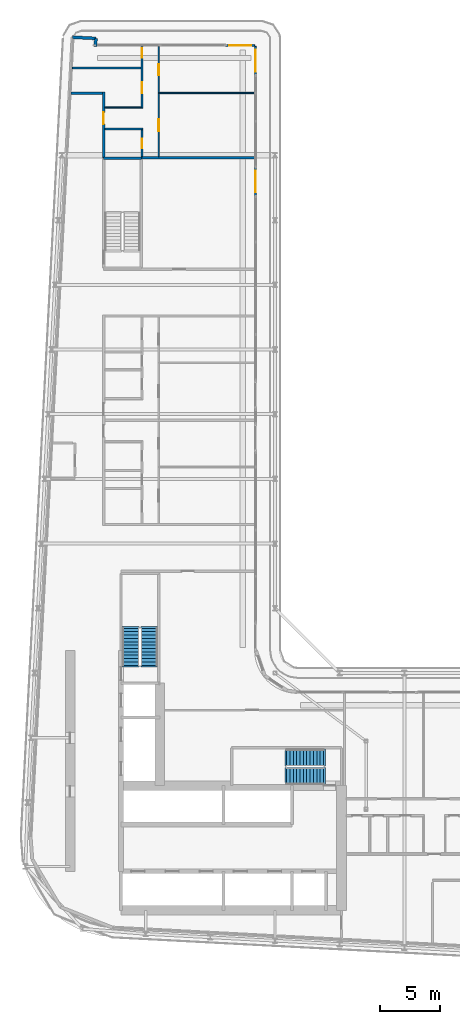
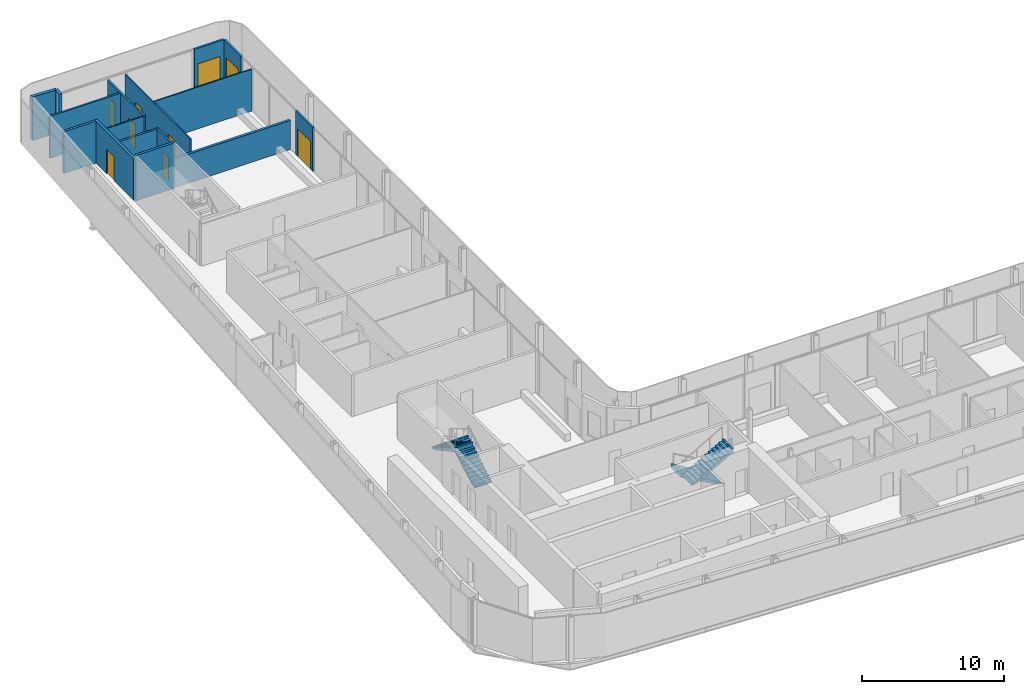
# One storey, part 21 of 29: 16 walls, 9 doors, 4 stair flights, 9 openings, 2 elements without a shape of their own.
"""IFC4 building model written with IfcOpenShell, lengths in metres."""

from ifc_helpers import new_model, si_unit, direction, frame, frame_2d, origin, place, context, subcontext, project, spatial, polyline, rectangle, outline, extrude, source, transform, mapped, material, layer, layer_set, type_object, element, fill, aggregate, save


model = new_model("IFC4")

# Units and contexts
model_context = context("Model", 3, precision=1e-05, world=origin(), true_north=direction((0.0, 1.0)))
body_context = subcontext(model_context, "Body", "Model", "MODEL_VIEW")
ifc_project = project(units=[si_unit("LENGTHUNIT", "METRE"), si_unit("AREAUNIT", "SQUARE_METRE"), si_unit("VOLUMEUNIT", "CUBIC_METRE"), si_unit("PLANEANGLEUNIT", "RADIAN"), si_unit("MASSUNIT", "GRAM", prefix="KILO")], contexts=[model_context])

# Site, building, storey
site_placement = place(None, origin())
site = spatial("IfcSite", under=ifc_project, at=site_placement, CompositionType="ELEMENT")
building_placement = place(site_placement, origin())
building = spatial("IfcBuilding", under=site, at=building_placement, Name="Kheshtan School and Residences Tower", CompositionType="ELEMENT")
storey_placement = place(building_placement, frame((0.0, 0.0, 176.0)))
storey = spatial("IfcBuildingStorey", under=building, at=storey_placement, Name="L41", CompositionType="ELEMENT", Elevation=176.0)

# Wall
ifc_material_1 = material(Name="Gypsum board on steel studs with fire boards", Category="steel")
ifc_layer_1 = layer(ifc_material_1, 0.199951171875)
ifc_layer_set_1 = layer_set([ifc_layer_1], Name="Corridor wall 200")
wall_type_1 = type_object("IfcWallType", Name="Corridor wall 200", PredefinedType="PARTITIONING", material=ifc_layer_set_1)
wall_1_placement = place(storey_placement, frame((30.584716796875, 94.0, 0.0), z_axis=(0.0, 0.0, 1.0), x_axis=(1.0, 0.0, 0.0)))
element("IfcWall", 1, at=wall_1_placement, inside=storey, type_object=wall_type_1, Name="Partition L41-002", PredefinedType="PARTITIONING", context=body_context, shape_type="SweptSolid", body=[
    extrude(rectangle(XDim=2.615234375, YDim=0.199951171875, at=frame_2d((1.3076171875, 0.0))), origin(), (0.0, 0.0, 1.0), 3.60009765625),
])

# Wall, opening, door
wall_2_placement = place(storey_placement, frame((33.300048828125, 88.60009765625, 0.0), z_axis=(0.0, 0.0, 1.0), x_axis=(0.0, 1.0, 0.0)))
wall_2 = element("IfcWall", 2, at=wall_2_placement, inside=storey, type_object=wall_type_1, Name="Partition L41-005", PredefinedType="PARTITIONING", context=body_context, shape_type="SweptSolid", body=[
    extrude(rectangle(XDim=5.5, YDim=0.199951171875, at=frame_2d((2.75, 0.0))), origin(), (0.0, 0.0, 1.0), 3.60009765625),
])
opening_1_placement = place(wall_2_placement, frame((2.800048828125, 0.0, 0.0)))
opening_1 = element("IfcOpeningElement", 3, at=opening_1_placement, cuts=wall_2, Name="Opening D41-045", PredefinedType="OPENING", context=body_context, shape_type="SweptSolid", body=[
    extrude(rectangle(XDim=1.0, YDim=2.10009765625, at=frame_2d((0.5, 1.050048828125))), frame((0.0, 0.10986328125, 0.0), z_axis=(0.0, -1.0, 0.0), x_axis=(1.0, 0.0, 0.0)), (0.0, 0.0, 1.0), 0.219970703125),
])
ifc_material_2 = material(Name="Steel-framed fire-resisting door leaf", Category="steel")
door_type_1 = type_object("IfcDoorType", Name="Fire door FD30S 1000 x 2100", OperationType="SINGLE_SWING_LEFT", PredefinedType="DOOR", material=ifc_material_2)
shared_shape_1 = source(origin(), body_context, "Body", "SweptSolid", [
    extrude(rectangle(XDim=1.0, YDim=2.10009765625, at=frame_2d((0.5, 1.050048828125))), frame((0.0, 0.02490234375, 0.0), z_axis=(0.0, -1.0, 0.0), x_axis=(1.0, 0.0, 0.0)), (0.0, 0.0, 1.0), 0.050048828125),
])
door_1_placement = place(opening_1_placement, origin())
door_1 = element("IfcDoor", 4, at=door_1_placement, inside=storey, type_object=door_type_1, Name="Door D41-045", OperationType="SINGLE_SWING_LEFT", OverallHeight=2.10009765625, OverallWidth=1.0, PredefinedType="DOOR", context=body_context, shape_type="MappedRepresentation", body=[
    mapped(shared_shape_1, transform((0.0, 0.0, 0.0), x_axis=(1.0, 0.0, 0.0), y_axis=(0.0, 1.0, 0.0), z_axis=(0.0, 0.0, 1.0), scale=1.0)),
])
fill(opening_1, door_1)

# Walls
ifc_material_3 = material(Name="Concrete C40/50 with ceramic cladding and mineral wool insulation", Category="concrete")
ifc_layer_2 = layer(ifc_material_3, 0.25)
ifc_layer_set_2 = layer_set([ifc_layer_2], Name="External wall 250 ceramic clad")
wall_type_2 = type_object("IfcWallType", Name="External wall 250 ceramic clad", PredefinedType="SOLIDWALL", material=ifc_layer_set_2)
wall_3_placement = place(storey_placement, frame((30.705078125, 98.6640625, 0.0), z_axis=(0.0, 0.0, 1.0), x_axis=(0.998577785791, -0.053314216913, 0.0)))
element("IfcWall", 5, at=wall_3_placement, inside=storey, type_object=wall_type_2, Name="External wall L41 5", PredefinedType="SOLIDWALL", context=body_context, shape_type="SweptSolid", body=[
    extrude(rectangle(XDim=1.95068359375, YDim=0.25, at=frame_2d((0.975341796875, 0.0))), origin(), (0.0, 0.0, 1.0), 3.75),
])
wall_4_placement = place(storey_placement, frame((32.653076171875, 98.56005859375, 0.0), z_axis=(0.0, 0.0, 1.0), x_axis=(-0.054093451632, -0.998535877418, 0.0)))
element("IfcWall", 6, at=wall_4_placement, inside=storey, type_object=wall_type_2, Name="External wall L41 6", PredefinedType="SOLIDWALL", context=body_context, shape_type="SweptSolid", body=[
    extrude(rectangle(XDim=0.66796875, YDim=0.25, at=frame_2d((0.333984375, 0.0))), origin(), (0.0, 0.0, 1.0), 3.75),
])

# Wall, opening, door
ifc_material_4 = material(Name="Aluminium frame wall with insulated infill", Category="aluminium")
ifc_layer_3 = layer(ifc_material_4, 0.14990234375)
ifc_layer_set_3 = layer_set([ifc_layer_3], Name="Glazing frame wall 150")
wall_type_3 = type_object("IfcWallType", Name="Glazing frame wall 150", PredefinedType="SOLIDWALL", material=ifc_layer_set_3)
wall_5_placement = place(storey_placement, frame((43.5, 97.97509765625, 0.0), z_axis=(0.0, 0.0, 1.0), x_axis=(1.0, 0.0, 0.0)))
wall_5 = element("IfcWall", 7, at=wall_5_placement, inside=storey, type_object=wall_type_3, Name="Balcony door wall L41 7.1", PredefinedType="SOLIDWALL", context=body_context, shape_type="SweptSolid", body=[
    extrude(rectangle(XDim=2.39990234375, YDim=0.14990234375, at=frame_2d((1.199951171875, 0.0))), origin(), (0.0, 0.0, 1.0), 3.75),
])
opening_2_placement = place(wall_5_placement, frame((0.300048828125, 0.0, 0.0)))
opening_2 = element("IfcOpeningElement", 8, at=opening_2_placement, cuts=wall_5, Name="Opening BD", PredefinedType="OPENING", context=body_context, shape_type="SweptSolid", body=[
    extrude(rectangle(XDim=1.800048828125, YDim=2.39990234375, at=frame_2d((0.89990234375, 1.199951171875))), frame((0.0, 0.0849609375, 0.0), z_axis=(0.0, -1.0, 0.0), x_axis=(1.0, 0.0, 0.0)), (0.0, 0.0, 1.0), 0.169921875),
])
ifc_material_5 = material(Name="Clear low-e glass in thermally broken aluminium frame", Category="aluminium")
door_type_2 = type_object("IfcDoorType", Name="Balcony sliding door", OperationType="SLIDING_TO_LEFT", PredefinedType="DOOR", material=ifc_material_5)
shared_shape_2 = source(origin(), body_context, "Body", "SweptSolid", [
    extrude(rectangle(XDim=1.800048828125, YDim=2.39990234375, at=frame_2d((0.89990234375, 1.199951171875))), frame((0.0, 0.02490234375, 0.0), z_axis=(0.0, -1.0, 0.0), x_axis=(1.0, 0.0, 0.0)), (0.0, 0.0, 1.0), 0.050048828125),
])
door_2_placement = place(opening_2_placement, origin())
door_2 = element("IfcDoor", 9, at=door_2_placement, inside=storey, type_object=door_type_2, Name="Balcony door L41 7.1", OperationType="SLIDING_TO_LEFT", OverallHeight=2.39990234375, OverallWidth=1.800048828125, PredefinedType="DOOR", context=body_context, shape_type="MappedRepresentation", body=[
    mapped(shared_shape_2, transform((0.0, 0.0, 0.0), x_axis=(1.0, 0.0, 0.0), y_axis=(0.0, 1.0, 0.0), z_axis=(0.0, 0.0, 1.0), scale=1.0)),
])
fill(opening_2, door_2)

wall_6_placement = place(storey_placement, frame((45.97509765625, 97.89990234375, 0.0), z_axis=(0.0, 0.0, 1.0), x_axis=(0.0, -1.0, 0.0)))
wall_6 = element("IfcWall", 10, at=wall_6_placement, inside=storey, type_object=wall_type_3, Name="Balcony door wall L41 8.1", PredefinedType="SOLIDWALL", context=body_context, shape_type="SweptSolid", body=[
    extrude(rectangle(XDim=2.39990234375, YDim=0.14990234375, at=frame_2d((1.199951171875, 0.0))), origin(), (0.0, 0.0, 1.0), 3.75),
])
opening_3_placement = place(wall_6_placement, frame((0.300048828125, 0.0, 0.0)))
opening_3 = element("IfcOpeningElement", 11, at=opening_3_placement, cuts=wall_6, Name="Opening BD", PredefinedType="OPENING", context=body_context, shape_type="SweptSolid", body=[
    extrude(rectangle(XDim=1.800048828125, YDim=2.39990234375, at=frame_2d((0.89990234375, 1.199951171875))), frame((0.0, 0.0849609375, 0.0), z_axis=(0.0, -1.0, 0.0), x_axis=(1.0, 0.0, 0.0)), (0.0, 0.0, 1.0), 0.169921875),
])
door_3_placement = place(opening_3_placement, origin())
door_3 = element("IfcDoor", 12, at=door_3_placement, inside=storey, type_object=door_type_2, Name="Balcony door L41 8.1", OperationType="SLIDING_TO_LEFT", OverallHeight=2.39990234375, OverallWidth=1.800048828125, PredefinedType="DOOR", context=body_context, shape_type="MappedRepresentation", body=[
    mapped(shared_shape_2, transform((0.0, 0.0, 0.0), x_axis=(1.0, 0.0, 0.0), y_axis=(0.0, 1.0, 0.0), z_axis=(0.0, 0.0, 1.0), scale=1.0)),
])
fill(opening_3, door_3)

wall_7_placement = place(storey_placement, frame((45.97509765625, 87.805908203125, 0.0), z_axis=(0.0, 0.0, 1.0), x_axis=(0.0, -1.0, 0.0)))
wall_7 = element("IfcWall", 13, at=wall_7_placement, inside=storey, type_object=wall_type_3, Name="Balcony door wall L41 8.2", PredefinedType="SOLIDWALL", context=body_context, shape_type="SweptSolid", body=[
    extrude(rectangle(XDim=2.39990234375, YDim=0.14990234375, at=frame_2d((1.199951171875, 0.0))), origin(), (0.0, 0.0, 1.0), 3.75),
])
opening_4_placement = place(wall_7_placement, frame((0.300048828125, 0.0, 0.0)))
opening_4 = element("IfcOpeningElement", 14, at=opening_4_placement, cuts=wall_7, Name="Opening BD", PredefinedType="OPENING", context=body_context, shape_type="SweptSolid", body=[
    extrude(rectangle(XDim=1.800048828125, YDim=2.39990234375, at=frame_2d((0.89990234375, 1.199951171875))), frame((0.0, 0.0849609375, 0.0), z_axis=(0.0, -1.0, 0.0), x_axis=(1.0, 0.0, 0.0)), (0.0, 0.0, 1.0), 0.169921875),
])
door_4_placement = place(opening_4_placement, origin())
door_4 = element("IfcDoor", 15, at=door_4_placement, inside=storey, type_object=door_type_2, Name="Balcony door L41 8.2", OperationType="SLIDING_TO_LEFT", OverallHeight=2.39990234375, OverallWidth=1.800048828125, PredefinedType="DOOR", context=body_context, shape_type="MappedRepresentation", body=[
    mapped(shared_shape_2, transform((0.0, 0.0, 0.0), x_axis=(1.0, 0.0, 0.0), y_axis=(0.0, 1.0, 0.0), z_axis=(0.0, 0.0, 1.0), scale=1.0)),
])
fill(opening_4, door_4)

# Wall
ifc_material_6 = material(Name="Gypsum board on steel studs", Category="steel")
ifc_layer_4 = layer(ifc_material_6, 0.10009765625)
ifc_layer_set_4 = layer_set([ifc_layer_4], Name="Gypsum partition 100")
wall_type_4 = type_object("IfcWallType", Name="Gypsum partition 100", PredefinedType="PARTITIONING", material=ifc_layer_set_4)
wall_8_placement = place(storey_placement, frame((33.39990234375, 92.800048828125, 0.0), z_axis=(0.0, 0.0, 1.0), x_axis=(1.0, 0.0, 0.0)))
element("IfcWall", 16, at=wall_8_placement, inside=storey, type_object=wall_type_4, Name="Partition L41-016", PredefinedType="PARTITIONING", context=body_context, shape_type="SweptSolid", body=[
    extrude(rectangle(XDim=3.025146484375, YDim=0.10009765625, at=frame_2d((1.5126953125, 0.0))), origin(), (0.0, 0.0, 1.0), 3.60009765625),
])

# Wall, openings, doors
wall_9_placement = place(storey_placement, frame((37.89990234375, 88.699951171875, 0.0), z_axis=(0.0, 0.0, 1.0), x_axis=(0.0, 1.0, 0.0)))
wall_9 = element("IfcWall", 17, at=wall_9_placement, inside=storey, type_object=wall_type_4, Name="Partition L41-025", PredefinedType="PARTITIONING", context=body_context, shape_type="SweptSolid", body=[
    extrude(rectangle(XDim=9.199951171875, YDim=0.10009765625, at=frame_2d((4.60009765625, 0.0))), origin(), (0.0, 0.0, 1.0), 3.60009765625),
])
opening_5_placement = place(wall_9_placement, frame((6.800048828125, 0.0, 0.0)))
opening_5 = element("IfcOpeningElement", 18, at=opening_5_placement, cuts=wall_9, Name="Opening D41-044", PredefinedType="OPENING", context=body_context, shape_type="SweptSolid", body=[
    extrude(rectangle(XDim=0.89990234375, YDim=2.10009765625, at=frame_2d((0.449951171875, 1.050048828125))), frame((0.0, 0.06005859375, 0.0), z_axis=(0.0, -1.0, 0.0), x_axis=(1.0, 0.0, 0.0)), (0.0, 0.0, 1.0), 0.1201171875),
])
opening_6_placement = place(wall_9_placement, frame((2.10009765625, 0.0, 0.0)))
opening_6 = element("IfcOpeningElement", 19, at=opening_6_placement, cuts=wall_9, Name="Opening D41-047", PredefinedType="OPENING", context=body_context, shape_type="SweptSolid", body=[
    extrude(rectangle(XDim=1.0, YDim=2.10009765625, at=frame_2d((0.5, 1.050048828125))), frame((0.0, 0.06005859375, 0.0), z_axis=(0.0, -1.0, 0.0), x_axis=(1.0, 0.0, 0.0)), (0.0, 0.0, 1.0), 0.1201171875),
])
ifc_material_7 = material(Name="Veneered timber door leaf", Category="wood")
door_type_3 = type_object("IfcDoorType", Name="Door 1000 x 2100", OperationType="SINGLE_SWING_LEFT", PredefinedType="DOOR", material=ifc_material_7)
shared_shape_3 = source(origin(), body_context, "Body", "SweptSolid", [
    extrude(rectangle(XDim=1.0, YDim=2.10009765625, at=frame_2d((0.5, 1.050048828125))), frame((0.0, 0.02490234375, 0.0), z_axis=(0.0, -1.0, 0.0), x_axis=(1.0, 0.0, 0.0)), (0.0, 0.0, 1.0), 0.050048828125),
])
door_5_placement = place(opening_6_placement, origin())
door_5 = element("IfcDoor", 20, at=door_5_placement, inside=storey, type_object=door_type_3, Name="Door D41-047", OperationType="SINGLE_SWING_LEFT", OverallHeight=2.10009765625, OverallWidth=1.0, PredefinedType="DOOR", context=body_context, shape_type="MappedRepresentation", body=[
    mapped(shared_shape_3, transform((0.0, 0.0, 0.0), x_axis=(1.0, 0.0, 0.0), y_axis=(0.0, 1.0, 0.0), z_axis=(0.0, 0.0, 1.0), scale=1.0)),
])
fill(opening_6, door_5)
door_type_4 = type_object("IfcDoorType", Name="Door 900 x 2100", OperationType="SINGLE_SWING_LEFT", PredefinedType="DOOR", material=ifc_material_7)
shared_shape_4 = source(origin(), body_context, "Body", "SweptSolid", [
    extrude(rectangle(XDim=0.89990234375, YDim=2.10009765625, at=frame_2d((0.449951171875, 1.050048828125))), frame((0.0, 0.02490234375, 0.0), z_axis=(0.0, -1.0, 0.0), x_axis=(1.0, 0.0, 0.0)), (0.0, 0.0, 1.0), 0.050048828125),
])
door_6_placement = place(opening_5_placement, origin())
door_6 = element("IfcDoor", 21, at=door_6_placement, inside=storey, type_object=door_type_4, Name="Door D41-044", OperationType="SINGLE_SWING_RIGHT", OverallHeight=2.10009765625, OverallWidth=0.89990234375, PredefinedType="DOOR", context=body_context, shape_type="MappedRepresentation", body=[
    mapped(shared_shape_4, transform((0.0, 0.0, 0.0), x_axis=(1.0, 0.0, 0.0), y_axis=(0.0, 1.0, 0.0), z_axis=(0.0, 0.0, 1.0), scale=1.0)),
])
fill(opening_5, door_6)

# Walls
wall_10_placement = place(storey_placement, frame((37.949951171875, 94.0, 0.0), z_axis=(0.0, 0.0, 1.0), x_axis=(1.0, 0.0, 0.0)))
element("IfcWall", 22, at=wall_10_placement, inside=storey, type_object=wall_type_4, Name="Partition L41-028", PredefinedType="PARTITIONING", context=body_context, shape_type="SweptSolid", body=[
    extrude(rectangle(XDim=7.949951171875, YDim=0.10009765625, at=frame_2d((3.97509765625, 0.0))), origin(), (0.0, 0.0, 1.0), 3.60009765625),
])
ifc_material_8 = material(Name="Concrete C40/50", Category="concrete")
ifc_layer_5 = layer(ifc_material_8, 0.199951171875)
ifc_layer_set_5 = layer_set([ifc_layer_5], Name="Stair enclosure wall 200 Concrete C40/50")
wall_type_5 = type_object("IfcWallType", Name="Stair enclosure wall 200 Concrete C40/50", PredefinedType="SHEAR", material=ifc_layer_set_5)
wall_11_placement = place(storey_placement, frame((33.300048828125, 88.56005859375, 0.0), z_axis=(0.0, 0.0, 1.0), x_axis=(1.0, 0.0, 0.0)))
element("IfcWall", 23, at=wall_11_placement, inside=storey, type_object=wall_type_5, Name="Stair enclosure wall ST3", PredefinedType="SHEAR", context=body_context, shape_type="SweptSolid", body=[
    extrude(rectangle(XDim=3.14990234375, YDim=0.199951171875, at=frame_2d((1.574951171875, 0.0))), origin(), (0.0, 0.0, 1.0), 3.89990234375),
])
ifc_material_9 = material(Name="Twin gypsum board on steel studs with mineral wool", Category="steel")
ifc_layer_6 = layer(ifc_material_9, 0.199951171875)
ifc_layer_set_6 = layer_set([ifc_layer_6], Name="Unit demising wall 200")
wall_type_6 = type_object("IfcWallType", Name="Unit demising wall 200", PredefinedType="PARTITIONING", material=ifc_layer_set_6)
wall_12_placement = place(storey_placement, frame((36.425048828125, 88.60009765625, 0.0), z_axis=(0.0, 0.0, 1.0), x_axis=(1.0, 0.0, 0.0)))
element("IfcWall", 24, at=wall_12_placement, inside=storey, type_object=wall_type_6, Name="Partition L41-018", PredefinedType="PARTITIONING", context=body_context, shape_type="SweptSolid", body=[
    extrude(rectangle(XDim=9.474853515625, YDim=0.199951171875, at=frame_2d((4.7373046875, 0.0))), origin(), (0.0, 0.0, 1.0), 2.5),
])
ifc_material_10 = material(Name="Moisture-resistant gypsum board on steel studs", Category="steel")
ifc_layer_7 = layer(ifc_material_10, 0.14990234375)
ifc_layer_set_7 = layer_set([ifc_layer_7], Name="Wet-room partition 150")
wall_type_7 = type_object("IfcWallType", Name="Wet-room partition 150", PredefinedType="PARTITIONING", material=ifc_layer_set_7)
wall_13_placement = place(storey_placement, frame((30.695068359375, 96.10009765625, 0.0), z_axis=(0.0, 0.0, 1.0), x_axis=(1.0, 0.0, 0.0)))
element("IfcWall", 25, at=wall_13_placement, inside=storey, type_object=wall_type_7, Name="Partition L41-001", PredefinedType="PARTITIONING", context=body_context, shape_type="SweptSolid", body=[
    extrude(rectangle(XDim=5.72998046875, YDim=0.14990234375, at=frame_2d((2.864990234375, 0.0))), origin(), (0.0, 0.0, 1.0), 3.60009765625),
])
wall_14_placement = place(storey_placement, frame((33.39990234375, 91.0, 0.0), z_axis=(0.0, 0.0, 1.0), x_axis=(1.0, 0.0, 0.0)))
element("IfcWall", 26, at=wall_14_placement, inside=storey, type_object=wall_type_7, Name="Partition L41-015", PredefinedType="PARTITIONING", context=body_context, shape_type="SweptSolid", body=[
    extrude(rectangle(XDim=3.175048828125, YDim=0.14990234375, at=frame_2d((1.58740234375, 0.0))), origin(), (0.0, 0.0, 1.0), 3.60009765625),
])

# Wall, opening, door
wall_15_placement = place(storey_placement, frame((36.5, 88.699951171875, 0.0), z_axis=(0.0, 0.0, 1.0), x_axis=(0.0, 1.0, 0.0)))
wall_15 = element("IfcWall", 27, at=wall_15_placement, inside=storey, type_object=wall_type_7, Name="Partition L41-021", PredefinedType="PARTITIONING", context=body_context, shape_type="SweptSolid", body=[
    extrude(rectangle(XDim=2.22509765625, YDim=0.14990234375, at=frame_2d((1.112548828125, 0.0))), origin(), (0.0, 0.0, 1.0), 3.60009765625),
])
opening_7_placement = place(wall_15_placement, frame((0.699951171875, 0.0, 0.0)))
opening_7 = element("IfcOpeningElement", 28, at=opening_7_placement, cuts=wall_15, Name="Opening D41-043", PredefinedType="OPENING", context=body_context, shape_type="SweptSolid", body=[
    extrude(rectangle(XDim=0.800048828125, YDim=2.10009765625, at=frame_2d((0.39990234375, 1.050048828125))), frame((0.0, 0.0849609375, 0.0), z_axis=(0.0, -1.0, 0.0), x_axis=(1.0, 0.0, 0.0)), (0.0, 0.0, 1.0), 0.169921875),
])
door_type_5 = type_object("IfcDoorType", Name="Door 800 x 2100", OperationType="SINGLE_SWING_LEFT", PredefinedType="DOOR", material=ifc_material_7)
shared_shape_5 = source(origin(), body_context, "Body", "SweptSolid", [
    extrude(rectangle(XDim=0.800048828125, YDim=2.10009765625, at=frame_2d((0.39990234375, 1.050048828125))), frame((0.0, 0.02490234375, 0.0), z_axis=(0.0, -1.0, 0.0), x_axis=(1.0, 0.0, 0.0)), (0.0, 0.0, 1.0), 0.050048828125),
])
door_7_placement = place(opening_7_placement, origin())
door_7 = element("IfcDoor", 29, at=door_7_placement, inside=storey, type_object=door_type_5, Name="Door D41-043", OperationType="SINGLE_SWING_LEFT", OverallHeight=2.10009765625, OverallWidth=0.800048828125, PredefinedType="DOOR", context=body_context, shape_type="MappedRepresentation", body=[
    mapped(shared_shape_5, transform((0.0, 0.0, 0.0), x_axis=(1.0, 0.0, 0.0), y_axis=(0.0, 1.0, 0.0), z_axis=(0.0, 0.0, 1.0), scale=1.0)),
])
fill(opening_7, door_7)

# Wall, openings, doors
wall_16_placement = place(storey_placement, frame((36.5, 92.75, 0.0), z_axis=(0.0, 0.0, 1.0), x_axis=(0.0, 1.0, 0.0)))
wall_16 = element("IfcWall", 30, at=wall_16_placement, inside=storey, type_object=wall_type_7, Name="Partition L41-022", PredefinedType="PARTITIONING", context=body_context, shape_type="SweptSolid", body=[
    extrude(rectangle(XDim=5.14990234375, YDim=0.14990234375, at=frame_2d((2.574951171875, 0.0))), origin(), (0.0, 0.0, 1.0), 3.60009765625),
])
opening_8_placement = place(wall_16_placement, frame((1.25, 0.0, 0.0)))
opening_8 = element("IfcOpeningElement", 31, at=opening_8_placement, cuts=wall_16, Name="Opening D41-046", PredefinedType="OPENING", context=body_context, shape_type="SweptSolid", body=[
    extrude(rectangle(XDim=0.89990234375, YDim=2.10009765625, at=frame_2d((0.449951171875, 1.050048828125))), frame((0.0, 0.0849609375, 0.0), z_axis=(0.0, -1.0, 0.0), x_axis=(1.0, 0.0, 0.0)), (0.0, 0.0, 1.0), 0.169921875),
])
opening_9_placement = place(wall_16_placement, frame((4.199951171875, 0.0, 0.0)))
opening_9 = element("IfcOpeningElement", 32, at=opening_9_placement, cuts=wall_16, Name="Opening D41-048", PredefinedType="OPENING", context=body_context, shape_type="SweptSolid", body=[
    extrude(rectangle(XDim=0.800048828125, YDim=2.10009765625, at=frame_2d((0.39990234375, 1.050048828125))), frame((0.0, 0.0849609375, 0.0), z_axis=(0.0, -1.0, 0.0), x_axis=(1.0, 0.0, 0.0)), (0.0, 0.0, 1.0), 0.169921875),
])
door_8_placement = place(opening_9_placement, origin())
door_8 = element("IfcDoor", 33, at=door_8_placement, inside=storey, type_object=door_type_5, Name="Door D41-048", OperationType="SINGLE_SWING_LEFT", OverallHeight=2.10009765625, OverallWidth=0.800048828125, PredefinedType="DOOR", context=body_context, shape_type="MappedRepresentation", body=[
    mapped(shared_shape_5, transform((0.0, 0.0, 0.0), x_axis=(1.0, 0.0, 0.0), y_axis=(0.0, 1.0, 0.0), z_axis=(0.0, 0.0, 1.0), scale=1.0)),
])
fill(opening_9, door_8)
door_9_placement = place(opening_8_placement, origin())
door_9 = element("IfcDoor", 34, at=door_9_placement, inside=storey, type_object=door_type_4, Name="Door D41-046", OperationType="SINGLE_SWING_RIGHT", OverallHeight=2.10009765625, OverallWidth=0.89990234375, PredefinedType="DOOR", context=body_context, shape_type="MappedRepresentation", body=[
    mapped(shared_shape_4, transform((0.0, 0.0, 0.0), x_axis=(1.0, 0.0, 0.0), y_axis=(0.0, 1.0, 0.0), z_axis=(0.0, 0.0, 1.0), scale=1.0)),
])
fill(opening_8, door_9)

# Stair, stair flights
stair_type = type_object("IfcStairType", Name="Exit stair, half-turn", PredefinedType="HALF_TURN_STAIR", material=ifc_material_8)
stair_1_placement = place(storey_placement, origin())
stair_1 = element("IfcStair", 35, at=stair_1_placement, inside=storey, type_object=stair_type, Name="L41 Protected Exit Stair ST1", PredefinedType="HALF_TURN_STAIR")
ifc_layer_8 = layer(ifc_material_8, 0.14990234375)
ifc_layer_set_8 = layer_set([ifc_layer_8], Name="Stair flight 1400 Concrete C40/50")
stair_flight_type = type_object("IfcStairFlightType", Name="Stair flight 1400 Concrete C40/50", PredefinedType="STRAIGHT", material=ifc_layer_set_8)
stair_flight_1_placement = place(storey_placement, frame((51.64990234375, 38.550048828125, 0.0), z_axis=(0.0, 0.0, 1.0), x_axis=(-1.0, 0.0, 0.0)))
stair_flight_1 = element("IfcStairFlight", 36, at=stair_flight_1_placement, type_object=stair_flight_type, Name="ST1 flight 1", NumberOfRisers=12, NumberOfTreads=11, PredefinedType="STRAIGHT", RiserHeight=0.1625, TreadLength=0.28, context=body_context, shape_type="SweptSolid", body=[
    extrude(outline(polyline([(-0.14990234375, -0.10009765625), (-0.14990234375, 0.0), (0.0, 0.0), (0.0, 0.16259765625), (0.280029296875, 0.16259765625), (0.280029296875, 0.324951171875), (0.56005859375, 0.324951171875), (0.56005859375, 0.487548828125), (0.840087890625, 0.487548828125), (0.840087890625, 0.64990234375), (1.1201171875, 0.64990234375), (1.1201171875, 0.8125), (1.39990234375, 0.8125), (1.39990234375, 0.97509765625), (1.679931640625, 0.97509765625), (1.679931640625, 1.137451171875), (1.9599609375, 1.137451171875), (1.9599609375, 1.300048828125), (2.239990234375, 1.300048828125), (2.239990234375, 1.46240234375), (2.52001953125, 1.46240234375), (2.52001953125, 1.625), (2.800048828125, 1.625), (2.800048828125, 1.78759765625), (3.080078125, 1.78759765625), (3.080078125, 1.949951171875), (3.080078125, 1.969970703125), (3.22998046875, 1.969970703125), (3.22998046875, 1.6142578125), (0.298583984375, 0.0), (-0.14990234375, -0.10009765625)])), frame((0.0, 0.699951171875, 0.0), z_axis=(0.0, -1.0, 0.0), x_axis=(1.0, 0.0, 0.0)), (0.0, 0.0, 1.0), 1.39990234375),
])
stair_flight_2_placement = place(storey_placement, frame((48.570068359375, 37.0, 1.949951171875), z_axis=(0.0, 0.0, 1.0), x_axis=(1.0, 0.0, 0.0)))
stair_flight_2 = element("IfcStairFlight", 37, at=stair_flight_2_placement, type_object=stair_flight_type, Name="ST1 flight 2", NumberOfRisers=12, NumberOfTreads=11, PredefinedType="STRAIGHT", RiserHeight=0.1625, TreadLength=0.28, context=body_context, shape_type="SweptSolid", body=[
    extrude(outline(polyline([(-0.14990234375, -0.10009765625), (-0.14990234375, 0.0), (0.0, 0.0), (0.0, 0.16259765625), (0.280029296875, 0.16259765625), (0.280029296875, 0.324951171875), (0.56005859375, 0.324951171875), (0.56005859375, 0.487548828125), (0.840087890625, 0.487548828125), (0.840087890625, 0.64990234375), (1.1201171875, 0.64990234375), (1.1201171875, 0.8125), (1.39990234375, 0.8125), (1.39990234375, 0.97509765625), (1.679931640625, 0.97509765625), (1.679931640625, 1.137451171875), (1.9599609375, 1.137451171875), (1.9599609375, 1.300048828125), (2.239990234375, 1.300048828125), (2.239990234375, 1.46240234375), (2.52001953125, 1.46240234375), (2.52001953125, 1.625), (2.800048828125, 1.625), (2.800048828125, 1.78759765625), (3.080078125, 1.78759765625), (3.080078125, 1.949951171875), (3.080078125, 1.969970703125), (3.22998046875, 1.969970703125), (3.22998046875, 1.6142578125), (0.298583984375, 0.0), (-0.14990234375, -0.10009765625)])), frame((0.0, 0.699951171875, 0.0), z_axis=(0.0, -1.0, 0.0), x_axis=(1.0, 0.0, 0.0)), (0.0, 0.0, 1.0), 1.39990234375),
])
aggregate(stair_1, [stair_flight_1, stair_flight_2])

stair_2_placement = place(storey_placement, origin())
stair_2 = element("IfcStair", 38, at=stair_2_placement, inside=storey, type_object=stair_type, Name="L41 Protected Exit Stair ST2", PredefinedType="HALF_TURN_STAIR")
stair_flight_3_placement = place(storey_placement, frame((37.10009765625, 46.25, 0.0), z_axis=(0.0, 0.0, 1.0), x_axis=(0.0, 1.0, 0.0)))
stair_flight_3 = element("IfcStairFlight", 39, at=stair_flight_3_placement, type_object=stair_flight_type, Name="ST2 flight 1", NumberOfRisers=12, NumberOfTreads=11, PredefinedType="STRAIGHT", RiserHeight=0.1625, TreadLength=0.28, context=body_context, shape_type="SweptSolid", body=[
    extrude(outline(polyline([(-0.14990234375, -0.10009765625), (-0.14990234375, 0.0), (0.0, 0.0), (0.0, 0.16259765625), (0.280029296875, 0.16259765625), (0.280029296875, 0.324951171875), (0.56005859375, 0.324951171875), (0.56005859375, 0.487548828125), (0.840087890625, 0.487548828125), (0.840087890625, 0.64990234375), (1.1201171875, 0.64990234375), (1.1201171875, 0.8125), (1.39990234375, 0.8125), (1.39990234375, 0.97509765625), (1.679931640625, 0.97509765625), (1.679931640625, 1.137451171875), (1.9599609375, 1.137451171875), (1.9599609375, 1.300048828125), (2.239990234375, 1.300048828125), (2.239990234375, 1.46240234375), (2.52001953125, 1.46240234375), (2.52001953125, 1.625), (2.800048828125, 1.625), (2.800048828125, 1.78759765625), (3.080078125, 1.78759765625), (3.080078125, 1.949951171875), (3.080078125, 1.969970703125), (3.22998046875, 1.969970703125), (3.22998046875, 1.6142578125), (0.298583984375, 0.0), (-0.14990234375, -0.10009765625)])), frame((0.0, 0.699951171875, 0.0), z_axis=(0.0, -1.0, 0.0), x_axis=(1.0, 0.0, 0.0)), (0.0, 0.0, 1.0), 1.39990234375),
])
stair_flight_4_placement = place(storey_placement, frame((35.550048828125, 49.330078125, 1.949951171875), z_axis=(0.0, 0.0, 1.0), x_axis=(0.0, -1.0, 0.0)))
stair_flight_4 = element("IfcStairFlight", 40, at=stair_flight_4_placement, type_object=stair_flight_type, Name="ST2 flight 2", NumberOfRisers=12, NumberOfTreads=11, PredefinedType="STRAIGHT", RiserHeight=0.1625, TreadLength=0.28, context=body_context, shape_type="SweptSolid", body=[
    extrude(outline(polyline([(-0.14990234375, -0.10009765625), (-0.14990234375, 0.0), (0.0, 0.0), (0.0, 0.16259765625), (0.280029296875, 0.16259765625), (0.280029296875, 0.324951171875), (0.56005859375, 0.324951171875), (0.56005859375, 0.487548828125), (0.840087890625, 0.487548828125), (0.840087890625, 0.64990234375), (1.1201171875, 0.64990234375), (1.1201171875, 0.8125), (1.39990234375, 0.8125), (1.39990234375, 0.97509765625), (1.679931640625, 0.97509765625), (1.679931640625, 1.137451171875), (1.9599609375, 1.137451171875), (1.9599609375, 1.300048828125), (2.239990234375, 1.300048828125), (2.239990234375, 1.46240234375), (2.52001953125, 1.46240234375), (2.52001953125, 1.625), (2.800048828125, 1.625), (2.800048828125, 1.78759765625), (3.080078125, 1.78759765625), (3.080078125, 1.949951171875), (3.080078125, 1.969970703125), (3.22998046875, 1.969970703125), (3.22998046875, 1.6142578125), (0.298583984375, 0.0), (-0.14990234375, -0.10009765625)])), frame((0.0, 0.699951171875, 0.0), z_axis=(0.0, -1.0, 0.0), x_axis=(1.0, 0.0, 0.0)), (0.0, 0.0, 1.0), 1.39990234375),
])
aggregate(stair_2, [stair_flight_3, stair_flight_4])

save(model, "model.ifc")
